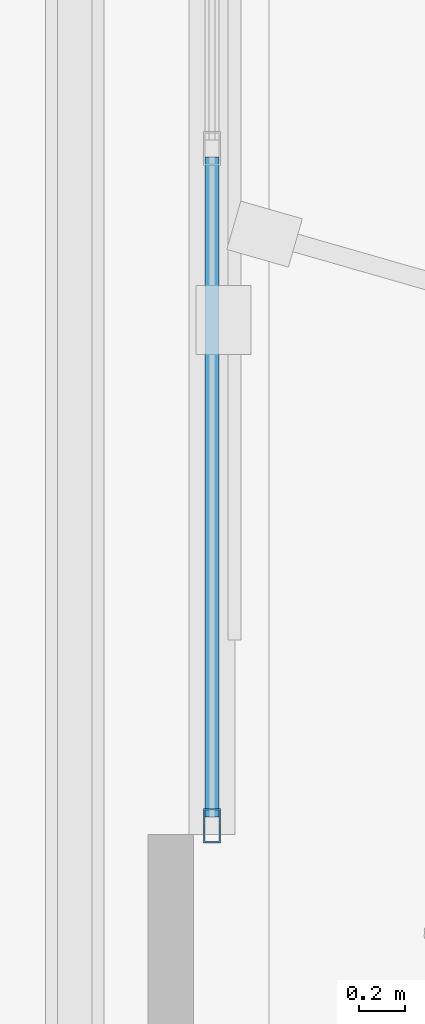
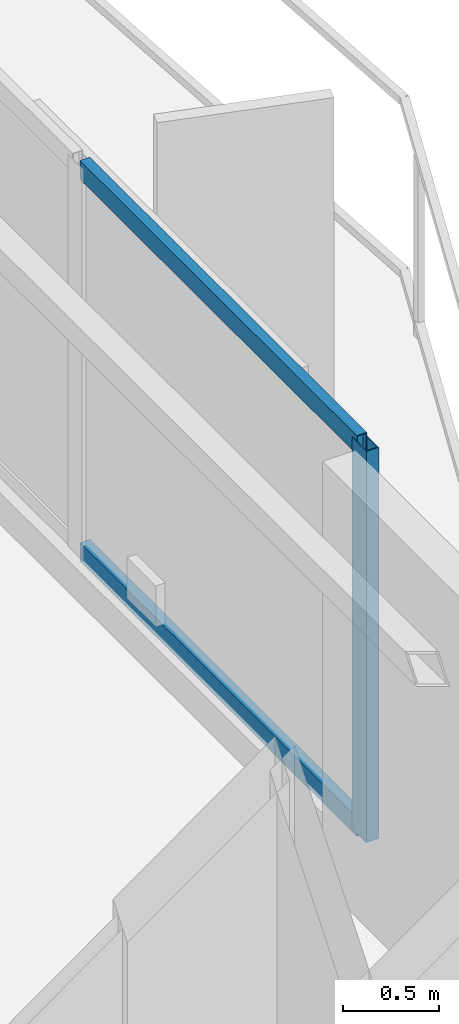
# One storey, part 6 of 22: 3 members, 1 element without a shape of its own.
"""IFC4 building model written with IfcOpenShell, lengths in metres."""

from ifc_helpers import new_model, si_unit, direction, frame, origin, origin_2d, place, context, subcontext, project, spatial, hollow_rectangle, extrude, material, layer, layer_set, material_profile, profile_set, type_object, element, aggregate, save


model = new_model("IFC4")

# Units and contexts
model_context = context("Model", 3, precision=1e-05, world=origin(), true_north=direction((0.0, 1.0)))
body_context = subcontext(model_context, "Body", "Model", "MODEL_VIEW")
ifc_project = project(units=[si_unit("LENGTHUNIT", "METRE"), si_unit("AREAUNIT", "SQUARE_METRE"), si_unit("VOLUMEUNIT", "CUBIC_METRE"), si_unit("PLANEANGLEUNIT", "RADIAN"), si_unit("MASSUNIT", "GRAM", prefix="KILO")], contexts=[model_context])

# Site, building, storey
site_placement = place(None, origin())
site = spatial("IfcSite", under=ifc_project, at=site_placement, CompositionType="ELEMENT")
building_placement = place(site_placement, origin())
building = spatial("IfcBuilding", under=site, at=building_placement, Name="Mersakhor Tower and Convention Hall", CompositionType="ELEMENT")
storey_placement = place(building_placement, frame((0.0, 0.0, 205.199951171875)))
storey = spatial("IfcBuildingStorey", under=building, at=storey_placement, Name="L57", CompositionType="ELEMENT", Elevation=205.199951171875)

# Curtain wall, members
ifc_material_1 = material(Name="Dark solar low-E aluminium curtain wall", Category="aluminium")
ifc_layer = layer(ifc_material_1, 0.169921875)
ifc_layer_set = layer_set([ifc_layer], Name="Dark solar low-E aluminium curtain wall")
curtain_wall_type = type_object("IfcCurtainWallType", Name="CW-SYS-02", PredefinedType="USERDEFINED", material=ifc_layer_set)
curtain_wall_placement = place(storey_placement, origin())
curtain_wall = element("IfcCurtainWall", 1, at=curtain_wall_placement, inside=storey, type_object=curtain_wall_type, Name="L57 Dark-Glass Curtain Wall F2-B2", ObjectType="CURTAIN WALL", PredefinedType="USERDEFINED")
ifc_material_2 = material(Name="Anodised aluminium EN AW-6063 T6", Category="aluminium")
ifc_material_profile_1 = material_profile(ifc_material_2, hollow_rectangle(XDim=0.074951171875, YDim=0.14990234375, WallThickness=0.00634765625, at=origin_2d()), Name="RHS 150x75x6.3")
ifc_profile_set_1 = profile_set([ifc_material_profile_1], Name="Anodised aluminium EN AW-6063 T6")
member_type_1 = type_object("IfcMemberType", Name="CWM-150x75", PredefinedType="MULLION", material=ifc_profile_set_1)
member_1_placement = place(storey_placement, frame((40.58837890625, 22.2880859375, 0.199951171875), z_axis=(0.0, 0.0, 1.0), x_axis=(1.0, 0.0, 0.0)))
member_1 = element("IfcMember", 2, at=member_1_placement, type_object=member_type_1, Name="CW-02 mullion 4", PredefinedType="MULLION", context=body_context, shape_type="SweptSolid", body=[
    extrude(hollow_rectangle(XDim=0.074951171875, YDim=0.14990234375, WallThickness=0.00634765625, at=origin_2d()), origin(), (0.0, 0.0, 1.0), 2.489990234375),
])
ifc_material_3 = material(Name="Anodised aluminium EN AW-6063 T6", Category="aluminium")
ifc_material_profile_2 = material_profile(ifc_material_3, hollow_rectangle(XDim=0.06005859375, YDim=0.1201171875, WallThickness=0.0048828125, at=origin_2d()), Name="RHS 120x60x5")
ifc_profile_set_2 = profile_set([ifc_material_profile_2], Name="Anodised aluminium EN AW-6063 T6")
member_type_2 = type_object("IfcMemberType", Name="CWT-120x60", PredefinedType="USERDEFINED", material=ifc_profile_set_2)
member_2_placement = place(storey_placement, frame((40.58837890625, 25.212646484375, 0.22998046875), z_axis=(0.0, -1.0, 0.0), x_axis=(1.0, 0.0, 0.0)))
member_2 = element("IfcMember", 3, at=member_2_placement, type_object=member_type_2, Name="CW-02 transom 3.1", ObjectType="TRANSOM", PredefinedType="USERDEFINED", context=body_context, shape_type="SweptSolid", body=[
    extrude(hollow_rectangle(XDim=0.06005859375, YDim=0.1201171875, WallThickness=0.0048828125, at=origin_2d()), origin(), (0.0, 0.0, 1.0), 2.88720703125),
])
member_3_placement = place(storey_placement, frame((40.58837890625, 25.212646484375, 2.66015625), z_axis=(0.0, -1.0, 0.0), x_axis=(1.0, 0.0, 0.0)))
member_3 = element("IfcMember", 4, at=member_3_placement, type_object=member_type_2, Name="CW-02 transom 3.2", ObjectType="TRANSOM", PredefinedType="USERDEFINED", context=body_context, shape_type="SweptSolid", body=[
    extrude(hollow_rectangle(XDim=0.06005859375, YDim=0.1201171875, WallThickness=0.0048828125, at=origin_2d()), origin(), (0.0, 0.0, 1.0), 2.88720703125),
])
aggregate(curtain_wall, [member_1, member_2, member_3])

save(model, "model.ifc")
